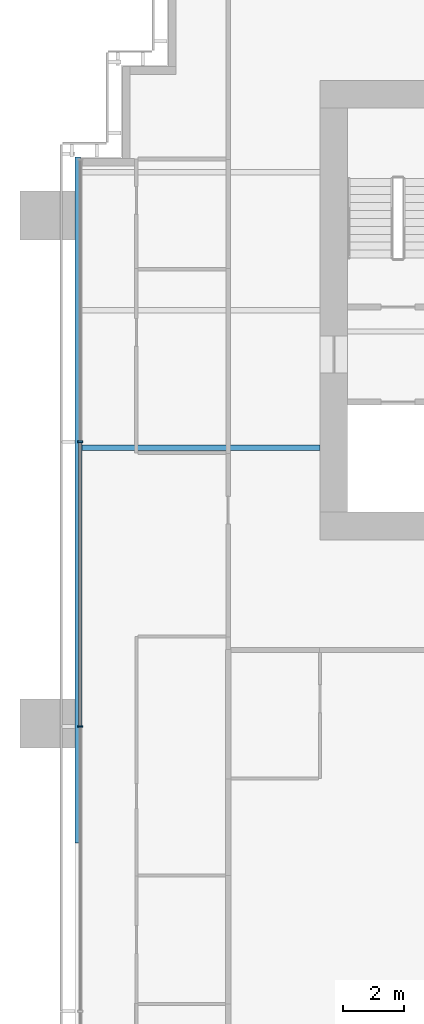
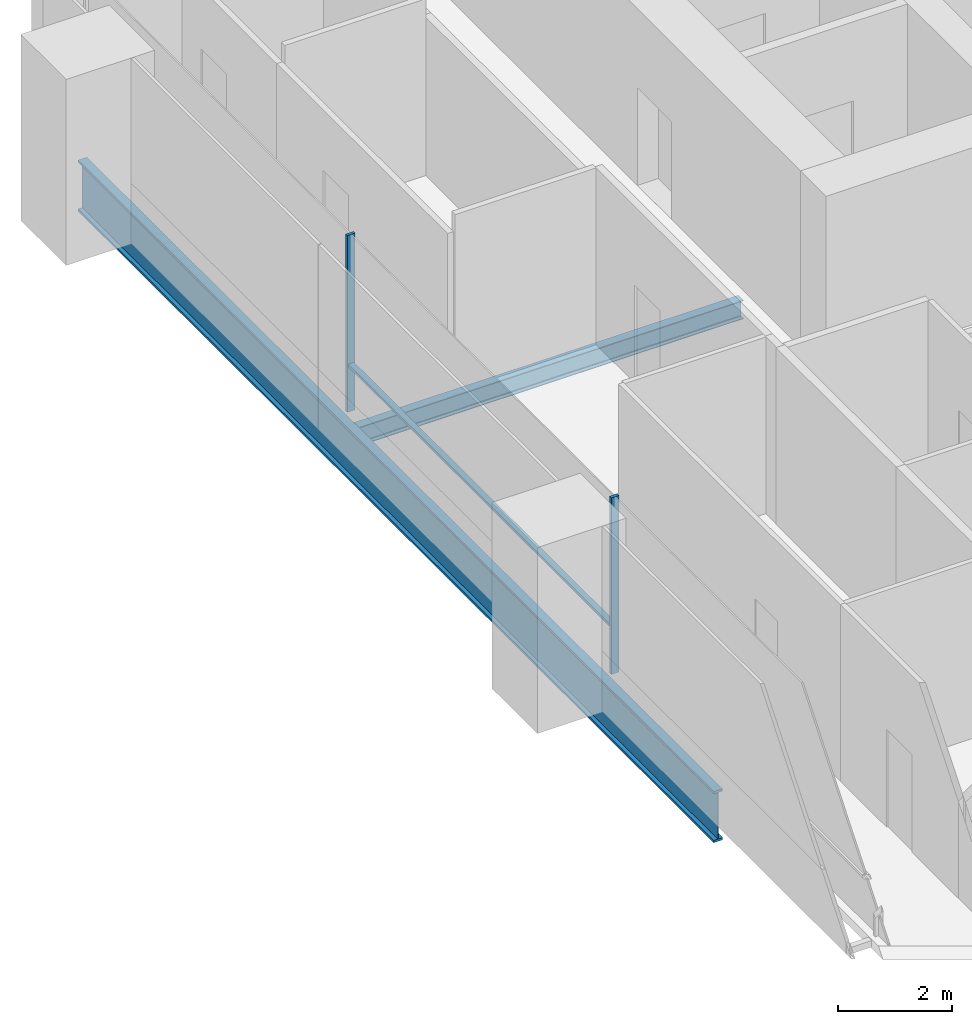
# One storey, part 4 of 19: 3 members, 2 beams, 1 element without a shape of its own.
"""IFC4 building model written with IfcOpenShell, lengths in metres."""

from ifc_helpers import new_model, si_unit, direction, frame, origin, origin_2d, place, context, subcontext, project, spatial, rectangle, i_section, extrude, material, material_profile, profile_set, type_object, element, aggregate, save


model = new_model("IFC4")

# Units and contexts
model_context = context("Model", 3, precision=1e-05, world=origin(), true_north=direction((0.0, 1.0)))
body_context = subcontext(model_context, "Body", "Model", "MODEL_VIEW")
ifc_project = project(units=[si_unit("LENGTHUNIT", "METRE"), si_unit("AREAUNIT", "SQUARE_METRE"), si_unit("VOLUMEUNIT", "CUBIC_METRE"), si_unit("PLANEANGLEUNIT", "RADIAN"), si_unit("MASSUNIT", "GRAM", prefix="KILO")], contexts=[model_context])

# Site, building, storey
site_placement = place(None, origin())
site = spatial("IfcSite", under=ifc_project, at=site_placement, CompositionType="ELEMENT")
building_placement = place(site_placement, origin())
building = spatial("IfcBuilding", under=site, at=building_placement, Name="Rattan Terrace Tower", CompositionType="ELEMENT")
storey_placement = place(building_placement, frame((0.0, 0.0, 87.699951171875)))
storey = spatial("IfcBuildingStorey", under=building, at=storey_placement, Name="L19", CompositionType="ELEMENT", Elevation=87.699951171875)

# Curtain wall, members
ifc_material_1 = material(Name="Aluminium and glass", Category="aluminium")
curtain_wall_type = type_object("IfcCurtainWallType", Name="Facade Unitised Curtain Wall", PredefinedType="NOTDEFINED", material=ifc_material_1)
curtain_wall_placement = place(storey_placement, origin())
curtain_wall = element("IfcCurtainWall", 1, at=curtain_wall_placement, inside=storey, type_object=curtain_wall_type, Name="Curtain wall L19-3", PredefinedType="NOTDEFINED")
ifc_material_2 = material(Name="Aluminium", Category="aluminium")
ifc_material_profile_1 = material_profile(ifc_material_2, rectangle(XDim=0.06005859375, YDim=0.159912109375, at=origin_2d()), Name="Aluminium 60x160")
ifc_profile_set_1 = profile_set([ifc_material_profile_1], Name="Aluminium")
member_type_1 = type_object("IfcMemberType", Name="Facade CW Mullion 60x160", PredefinedType="MULLION", material=ifc_profile_set_1)
member_1_placement = place(storey_placement, frame((-25.830078125, -4.300048828125, 0.0), z_axis=(0.0, 0.0, 1.0), x_axis=(0.0, -1.0, 0.0)))
member_1 = element("IfcMember", 2, at=member_1_placement, type_object=member_type_1, Name="Mullion cwl-L19-003.2", PredefinedType="MULLION", context=body_context, shape_type="SweptSolid", body=[
    extrude(rectangle(XDim=0.06005859375, YDim=0.159912109375, at=origin_2d()), origin(), (0.0, 0.0, 1.0), 3.800048828125),
])
member_2_placement = place(storey_placement, frame((-25.830078125, -13.60009765625, 0.0), z_axis=(0.0, 0.0, 1.0), x_axis=(0.0, -1.0, 0.0)))
member_2 = element("IfcMember", 3, at=member_2_placement, type_object=member_type_1, Name="Mullion cwl-L19-003.3", PredefinedType="MULLION", context=body_context, shape_type="SweptSolid", body=[
    extrude(rectangle(XDim=0.06005859375, YDim=0.159912109375, at=origin_2d()), origin(), (0.0, 0.0, 1.0), 3.800048828125),
])
ifc_material_3 = material(Name="Aluminium", Category="aluminium")
ifc_material_profile_2 = material_profile(ifc_material_3, rectangle(XDim=0.1201171875, YDim=0.06005859375, at=origin_2d()), Name="Aluminium 120x60")
ifc_profile_set_2 = profile_set([ifc_material_profile_2], Name="Aluminium")
member_type_2 = type_object("IfcMemberType", Name="Facade CW Transom 120x60", PredefinedType="USERDEFINED", material=ifc_profile_set_2)
member_3_placement = place(storey_placement, frame((-25.830078125, -4.330078125, 1.0), z_axis=(0.0, -1.0, 0.0), x_axis=(1.0, 0.0, 0.0)))
member_3 = element("IfcMember", 4, at=member_3_placement, type_object=member_type_2, Name="Transom cwl-L19-003.2", ObjectType="TRANSOM", PredefinedType="USERDEFINED", context=body_context, shape_type="SweptSolid", body=[
    extrude(rectangle(XDim=0.1201171875, YDim=0.06005859375, at=origin_2d()), origin(), (0.0, 0.0, 1.0), 9.239990234375),
])
aggregate(curtain_wall, [member_1, member_2, member_3])

# Beams
ifc_material_4 = material(Name="Steel S460", Category="steel")
ifc_material_profile_3 = material_profile(ifc_material_4, i_section(OverallWidth=0.179931640625, OverallDepth=1.10009765625, WebThickness=0.01611328125, FlangeThickness=0.050048828125, at=origin_2d()), Name="PG 1100x180-16-50")
ifc_profile_set_3 = profile_set([ifc_material_profile_3], Name="Steel S460")
beam_type_1 = type_object("IfcBeamType", Name="Frame edge girder PG 1100x180-16-50", PredefinedType="SPANDREL", material=ifc_profile_set_3)
beam_1_placement = place(storey_placement, frame((-25.909912109375, -17.39990234375, -0.75), z_axis=(0.0, 1.0, 0.0), x_axis=(-1.0, 0.0, 0.0)))
element("IfcBeam", 5, at=beam_1_placement, inside=storey, type_object=beam_type_1, Name="gdr-L19-004", PredefinedType="SPANDREL", context=body_context, shape_type="SweptSolid", body=[
    extrude(i_section(OverallWidth=0.179931640625, OverallDepth=1.10009765625, WebThickness=0.01611328125, FlangeThickness=0.050048828125, at=origin_2d()), origin(), (0.0, 0.0, 1.0), 22.39990234375),
])
ifc_material_5 = material(Name="Steel S355", Category="steel")
ifc_material_profile_4 = material_profile(ifc_material_5, i_section(OverallWidth=0.179931640625, OverallDepth=0.39990234375, WebThickness=0.008544921875, FlangeThickness=0.013427734375, FilletRadius=0.02099609375, at=origin_2d()), Name="IPE 400")
ifc_profile_set_4 = profile_set([ifc_material_profile_4], Name="Steel S355")
beam_type_2 = type_object("IfcBeamType", Name="Frame floor beam IPE 400", PredefinedType="JOIST", material=ifc_profile_set_4)
beam_2_placement = place(storey_placement, frame((-25.820068359375, -4.5, -0.39990234375), z_axis=(1.0, 0.0, 0.0), x_axis=(0.0, 1.0, 0.0)))
element("IfcBeam", 6, at=beam_2_placement, inside=storey, type_object=beam_type_2, Name="bm-L19-012", PredefinedType="JOIST", context=body_context, shape_type="SweptSolid", body=[
    extrude(i_section(OverallWidth=0.179931640625, OverallDepth=0.39990234375, WebThickness=0.008544921875, FlangeThickness=0.013427734375, FilletRadius=0.02099609375, at=origin_2d()), origin(), (0.0, 0.0, 1.0), 7.820068359375),
])

save(model, "model.ifc")
